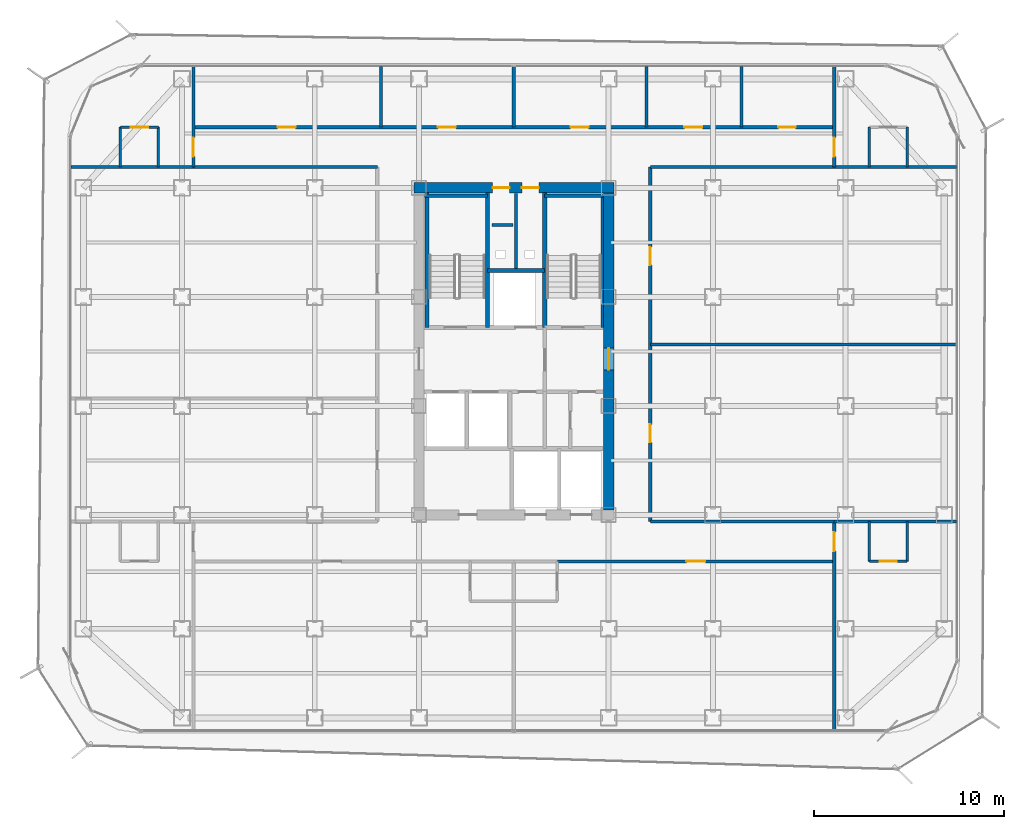
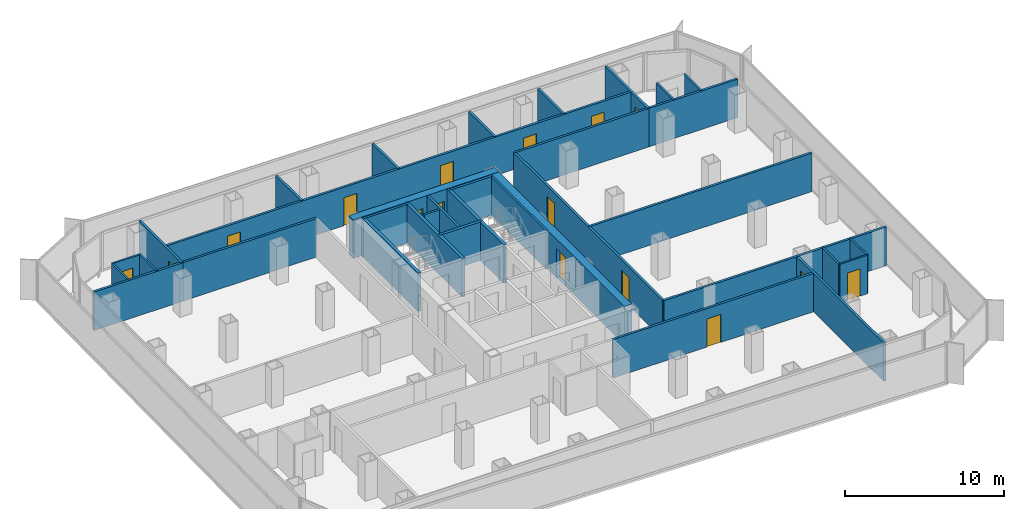
# One storey, part 17 of 21: 36 walls, 16 doors, 16 openings.
"""IFC4 building model written with IfcOpenShell, lengths in metres."""

from ifc_helpers import new_model, si_unit, direction, frame, frame_2d, origin, place, context, subcontext, project, spatial, rectangle, extrude, material, layer, layer_set, type_object, element, fill, save


model = new_model("IFC4")

# Units and contexts
model_context = context("Model", 3, precision=1e-05, world=origin(), true_north=direction((0.0, 1.0)))
body_context = subcontext(model_context, "Body", "Model", "MODEL_VIEW")
ifc_project = project(units=[si_unit("LENGTHUNIT", "METRE"), si_unit("AREAUNIT", "SQUARE_METRE"), si_unit("VOLUMEUNIT", "CUBIC_METRE"), si_unit("PLANEANGLEUNIT", "RADIAN"), si_unit("MASSUNIT", "GRAM", prefix="KILO")], contexts=[model_context])

# Site, building, storey
site_placement = place(None, origin())
site = spatial("IfcSite", under=ifc_project, at=site_placement, CompositionType="ELEMENT")
building_placement = place(site_placement, origin())
building = spatial("IfcBuilding", under=site, at=building_placement, Name="Kolveth Station Tower", CompositionType="ELEMENT")
storey_placement = place(building_placement, frame((0.0, 0.0, 131.10009765625)))
storey = spatial("IfcBuildingStorey", under=building, at=storey_placement, Name="L36", CompositionType="ELEMENT", Elevation=131.10009765625)

# Wall, openings, doors
ifc_material_1 = material(Name="Concrete C60/75", Category="concrete")
ifc_layer_1 = layer(ifc_material_1, 0.550048828125)
ifc_layer_set_1 = layer_set([ifc_layer_1], Name="Concrete C60/75")
wall_type_1 = type_object("IfcWallType", Name="Wall_CW-550", PredefinedType="SHEAR", material=ifc_layer_set_1)
wall_1_placement = place(storey_placement, frame((18.22509765625, 28.75, 0.0), z_axis=(0.0, 0.0, 1.0), x_axis=(1.0, 0.0, 0.0)))
wall_1 = element("IfcWall", 1, at=wall_1_placement, inside=storey, type_object=wall_type_1, Name="L36 Core RC Shear Wall N", PredefinedType="SHEAR", context=body_context, shape_type="SweptSolid", body=[
    extrude(rectangle(XDim=10.5498046875, YDim=0.550048828125, at=frame_2d((5.27490234375, 0.0))), origin(), (0.0, 0.0, 1.0), 2.949951171875),
])
opening_1_placement = place(wall_1_placement, frame((4.155029296875, 0.0, 0.0)))
opening_1 = element("IfcOpeningElement", 2, at=opening_1_placement, cuts=wall_1, Name="Opening RD1", PredefinedType="OPENING", context=body_context, shape_type="SweptSolid", body=[
    extrude(rectangle(XDim=0.89990234375, YDim=2.050048828125, at=frame_2d((0.449951171875, 1.02490234375))), frame((0.0, 0.284912109375, 0.0), z_axis=(0.0, -1.0, 0.0), x_axis=(1.0, 0.0, 0.0)), (0.0, 0.0, 1.0), 0.570068359375),
])
opening_2_placement = place(wall_1_placement, frame((5.695068359375, 0.0, 0.0)))
opening_2 = element("IfcOpeningElement", 3, at=opening_2_placement, cuts=wall_1, Name="Opening RD1", PredefinedType="OPENING", context=body_context, shape_type="SweptSolid", body=[
    extrude(rectangle(XDim=0.89990234375, YDim=2.050048828125, at=frame_2d((0.449951171875, 1.02490234375))), frame((0.0, 0.284912109375, 0.0), z_axis=(0.0, -1.0, 0.0), x_axis=(1.0, 0.0, 0.0)), (0.0, 0.0, 1.0), 0.570068359375),
])
ifc_material_2 = material(Name="Fire-rated Steel S355 riser access leaf", Category="steel")
door_type_1 = type_object("IfcDoorType", Name="Door_RD1", OperationType="NOTDEFINED", PredefinedType="DOOR", material=ifc_material_2)
door_1_placement = place(opening_1_placement, origin())
door_1 = element("IfcDoor", 4, at=door_1_placement, inside=storey, type_object=door_type_1, Name="L36 Electrical Riser Access Door", OperationType="SINGLE_SWING_LEFT", OverallHeight=2.050048828125, OverallWidth=0.89990234375, PredefinedType="DOOR", context=body_context, shape_type="SweptSolid", body=[
    extrude(rectangle(XDim=0.89990234375, YDim=2.050048828125, at=frame_2d((0.449951171875, 1.02490234375))), frame((0.0, 0.02490234375, 0.0), z_axis=(0.0, -1.0, 0.0), x_axis=(1.0, 0.0, 0.0)), (0.0, 0.0, 1.0), 0.050048828125),
])
fill(opening_1, door_1)
door_2_placement = place(opening_2_placement, origin())
door_2 = element("IfcDoor", 5, at=door_2_placement, inside=storey, type_object=door_type_1, Name="L36 Smoke Duct Access Door", OperationType="SINGLE_SWING_RIGHT", OverallHeight=2.050048828125, OverallWidth=0.89990234375, PredefinedType="DOOR", context=body_context, shape_type="SweptSolid", body=[
    extrude(rectangle(XDim=0.89990234375, YDim=2.050048828125, at=frame_2d((0.449951171875, 1.02490234375))), frame((0.0, 0.02490234375, 0.0), z_axis=(0.0, -1.0, 0.0), x_axis=(1.0, 0.0, 0.0)), (0.0, 0.0, 1.0), 0.050048828125),
])
fill(opening_2, door_2)

# Wall, opening, door
wall_2_placement = place(storey_placement, frame((28.5, 11.77490234375, 0.0), z_axis=(0.0, 0.0, 1.0), x_axis=(0.0, 1.0, 0.0)))
wall_2 = element("IfcWall", 6, at=wall_2_placement, inside=storey, type_object=wall_type_1, Name="L36 Core RC Shear Wall E", PredefinedType="SHEAR", context=body_context, shape_type="SweptSolid", body=[
    extrude(rectangle(XDim=16.7001953125, YDim=0.550048828125, at=frame_2d((8.35009765625, 0.0))), origin(), (0.0, 0.0, 1.0), 2.949951171875),
])
opening_3_placement = place(wall_2_placement, frame((7.375, 0.0, 0.0)))
opening_3 = element("IfcOpeningElement", 7, at=opening_3_placement, cuts=wall_2, Name="Opening FD1", PredefinedType="OPENING", context=body_context, shape_type="SweptSolid", body=[
    extrude(rectangle(XDim=1.14990234375, YDim=2.199951171875, at=frame_2d((0.574951171875, 1.10009765625))), frame((0.0, 0.284912109375, 0.0), z_axis=(0.0, -1.0, 0.0), x_axis=(1.0, 0.0, 0.0)), (0.0, 0.0, 1.0), 0.570068359375),
])
ifc_material_3 = material(Name="Fire-rated Steel S355 leaf and frame", Category="steel")
door_type_2 = type_object("IfcDoorType", Name="Door_FD1", OperationType="NOTDEFINED", PredefinedType="DOOR", material=ifc_material_3)
door_3_placement = place(opening_3_placement, origin())
door_3 = element("IfcDoor", 8, at=door_3_placement, inside=storey, type_object=door_type_2, Name="L36 East Corridor to Stair Lobby Door", OperationType="SINGLE_SWING_RIGHT", OverallHeight=2.199951171875, OverallWidth=1.14990234375, PredefinedType="DOOR", context=body_context, shape_type="SweptSolid", body=[
    extrude(rectangle(XDim=1.14990234375, YDim=2.199951171875, at=frame_2d((0.574951171875, 1.10009765625))), frame((0.0, 0.02490234375, 0.0), z_axis=(0.0, -1.0, 0.0), x_axis=(1.0, 0.0, 0.0)), (0.0, 0.0, 1.0), 0.050048828125),
])
fill(opening_3, door_3)

# Walls
ifc_material_4 = material(Name="Moisture-resistant gypsum partition")
ifc_layer_2 = layer(ifc_material_4, 0.135009765625)
ifc_layer_set_2 = layer_set([ifc_layer_2], Name="Moisture-resistant gypsum partition")
wall_type_2 = type_object("IfcWallType", Name="Wall_IW-135", PredefinedType="PARTITIONING", material=ifc_layer_set_2)
wall_3_placement = place(storey_placement, frame((28.16748046875, 21.389892578125, 0.0), z_axis=(0.0, 0.0, 1.0), x_axis=(0.0, 1.0, 0.0)))
element("IfcWall", 9, at=wall_3_placement, inside=storey, type_object=wall_type_2, Name="L36 Stair Shaft Wall WL-L36-ST2-E", PredefinedType="PARTITIONING", context=body_context, shape_type="SweptSolid", body=[
    extrude(rectangle(XDim=6.945068359375, YDim=0.135009765625, at=frame_2d((3.47265625, 0.0))), origin(), (0.0, 0.0, 1.0), 2.949951171875),
])
for number, where, z_axis, x_axis, name in (
    (10, (2.75, 29.85009765625, 0.0), (0.0, 0.0, 1.0), (0.0, 1.0, 0.0), "L36 Partition Wall WL-L36-WS2-BV1"),
    (11, (4.75, 29.85009765625, 0.0), (0.0, 0.0, 1.0), (0.0, 1.0, 0.0), "L36 Partition Wall WL-L36-WS2-BV2"),
):
    element("IfcWall", number, at=place(storey_placement, frame(where, z_axis=z_axis, x_axis=x_axis)), inside=storey, type_object=wall_type_2, Name=name, PredefinedType="PARTITIONING", context=body_context, shape_type="SweptSolid", body=[
        extrude(rectangle(XDim=2.099853515625, YDim=0.135009765625, at=frame_2d((1.0498046875, 0.0))), origin(), (0.0, 0.0, 1.0), 2.949951171875),
    ])

# Wall, opening, door
wall_4_placement = place(storey_placement, frame((2.75, 31.949951171875, 0.0), z_axis=(0.0, 0.0, 1.0), x_axis=(1.0, 0.0, 0.0)))
wall_4 = element("IfcWall", 12, at=wall_4_placement, inside=storey, type_object=wall_type_2, Name="L36 Partition Wall WL-L36-WS2-BH", PredefinedType="PARTITIONING", context=body_context, shape_type="SweptSolid", body=[
    extrude(rectangle(XDim=2.0, YDim=0.135009765625, at=frame_2d((1.0, 0.0))), origin(), (0.0, 0.0, 1.0), 2.949951171875),
])
opening_4_placement = place(wall_4_placement, frame((0.5400390625, 0.0, 0.0)))
opening_4 = element("IfcOpeningElement", 13, at=opening_4_placement, cuts=wall_4, Name="Opening ID2", PredefinedType="OPENING", context=body_context, shape_type="SweptSolid", body=[
    extrude(rectangle(XDim=0.919921875, YDim=2.10009765625, at=frame_2d((0.4599609375, 1.050048828125))), frame((0.0, 0.077392578125, 0.0), z_axis=(0.0, -1.0, 0.0), x_axis=(1.0, 0.0, 0.0)), (0.0, 0.0, 1.0), 0.155029296875),
])
ifc_material_5 = material(Name="Moisture-resistant hardwood leaf", Category="wood")
door_type_3 = type_object("IfcDoorType", Name="Door_ID2", OperationType="NOTDEFINED", PredefinedType="DOOR", material=ifc_material_5)
door_4_placement = place(opening_4_placement, frame((0.919921875, 0.0, 0.0), z_axis=(0.0, 0.0, 1.0), x_axis=(-1.0, 0.0, 0.0)))
door_4 = element("IfcDoor", 14, at=door_4_placement, inside=storey, type_object=door_type_3, Name="L36 Hotel Corner Suite WS2 En-Suite Door", OperationType="SINGLE_SWING_RIGHT", OverallHeight=2.10009765625, OverallWidth=0.919921875, PredefinedType="DOOR", context=body_context, shape_type="SweptSolid", body=[
    extrude(rectangle(XDim=0.919921875, YDim=2.10009765625, at=frame_2d((0.4599609375, 1.050048828125))), frame((0.0, 0.02490234375, 0.0), z_axis=(0.0, -1.0, 0.0), x_axis=(1.0, 0.0, 0.0)), (0.0, 0.0, 1.0), 0.050048828125),
])
fill(opening_4, door_4)

# Walls
for number, where, z_axis, x_axis, name in (
    (15, (42.25, 9.050048828125, 0.0), (0.0, 0.0, 1.0), (0.0, 1.0, 0.0), "L36 Partition Wall WL-L36-ES1-BV1"),
    (16, (44.25, 9.050048828125, 0.0), (0.0, 0.0, 1.0), (0.0, 1.0, 0.0), "L36 Partition Wall WL-L36-ES1-BV2"),
):
    element("IfcWall", number, at=place(storey_placement, frame(where, z_axis=z_axis, x_axis=x_axis)), inside=storey, type_object=wall_type_2, Name=name, PredefinedType="PARTITIONING", context=body_context, shape_type="SweptSolid", body=[
        extrude(rectangle(XDim=2.099853515625, YDim=0.135009765625, at=frame_2d((1.0498046875, 0.0))), origin(), (0.0, 0.0, 1.0), 2.949951171875),
    ])

# Wall, opening, door
wall_5_placement = place(storey_placement, frame((42.25, 9.050048828125, 0.0), z_axis=(0.0, 0.0, 1.0), x_axis=(1.0, 0.0, 0.0)))
wall_5 = element("IfcWall", 17, at=wall_5_placement, inside=storey, type_object=wall_type_2, Name="L36 Partition Wall WL-L36-ES1-BH", PredefinedType="PARTITIONING", context=body_context, shape_type="SweptSolid", body=[
    extrude(rectangle(XDim=2.0, YDim=0.135009765625, at=frame_2d((1.0, 0.0))), origin(), (0.0, 0.0, 1.0), 2.949951171875),
])
opening_5_placement = place(wall_5_placement, frame((0.5400390625, 0.0, 0.0)))
opening_5 = element("IfcOpeningElement", 18, at=opening_5_placement, cuts=wall_5, Name="Opening ID2", PredefinedType="OPENING", context=body_context, shape_type="SweptSolid", body=[
    extrude(rectangle(XDim=0.919921875, YDim=2.10009765625, at=frame_2d((0.4599609375, 1.050048828125))), frame((0.0, 0.077392578125, 0.0), z_axis=(0.0, -1.0, 0.0), x_axis=(1.0, 0.0, 0.0)), (0.0, 0.0, 1.0), 0.155029296875),
])
door_5_placement = place(opening_5_placement, origin())
door_5 = element("IfcDoor", 19, at=door_5_placement, inside=storey, type_object=door_type_3, Name="L36 Hotel Corner Suite ES1 En-Suite Door", OperationType="SINGLE_SWING_LEFT", OverallHeight=2.10009765625, OverallWidth=0.919921875, PredefinedType="DOOR", context=body_context, shape_type="SweptSolid", body=[
    extrude(rectangle(XDim=0.919921875, YDim=2.10009765625, at=frame_2d((0.4599609375, 1.050048828125))), frame((0.0, 0.02490234375, 0.0), z_axis=(0.0, -1.0, 0.0), x_axis=(1.0, 0.0, 0.0)), (0.0, 0.0, 1.0), 0.050048828125),
])
fill(opening_5, door_5)

# Walls
for number, where, z_axis, x_axis, name in (
    (20, (42.25, 29.85009765625, 0.0), (0.0, 0.0, 1.0), (0.0, 1.0, 0.0), "L36 Partition Wall WL-L36-ES2-BV1"),
    (21, (44.25, 29.85009765625, 0.0), (0.0, 0.0, 1.0), (0.0, 1.0, 0.0), "L36 Partition Wall WL-L36-ES2-BV2"),
):
    element("IfcWall", number, at=place(storey_placement, frame(where, z_axis=z_axis, x_axis=x_axis)), inside=storey, type_object=wall_type_2, Name=name, PredefinedType="PARTITIONING", context=body_context, shape_type="SweptSolid", body=[
        extrude(rectangle(XDim=2.099853515625, YDim=0.135009765625, at=frame_2d((1.0498046875, 0.0))), origin(), (0.0, 0.0, 1.0), 2.949951171875),
    ])
ifc_material_6 = material(Name="Acoustic double-stud gypsum partition")
ifc_layer_3 = layer(ifc_material_6, 0.1650390625)
ifc_layer_set_3 = layer_set([ifc_layer_3], Name="Acoustic double-stud gypsum partition")
wall_type_3 = type_object("IfcWallType", Name="Wall_IW-165", PredefinedType="PARTITIONING", material=ifc_layer_set_3)
wall_6_placement = place(storey_placement, frame((18.784912109375, 28.3349609375, 0.0), z_axis=(0.0, 0.0, 1.0), x_axis=(1.0, 0.0, 0.0)))
element("IfcWall", 22, at=wall_6_placement, inside=storey, type_object=wall_type_3, Name="L36 Stair Shaft Wall WL-L36-ST1-N", PredefinedType="PARTITIONING", context=body_context, shape_type="SweptSolid", body=[
    extrude(rectangle(XDim=3.3251953125, YDim=0.1650390625, at=frame_2d((1.66259765625, 0.0))), origin(), (0.0, 0.0, 1.0), 2.949951171875),
])
wall_7_placement = place(storey_placement, frame((25.1298828125, 28.3349609375, 0.0), z_axis=(0.0, 0.0, 1.0), x_axis=(1.0, 0.0, 0.0)))
element("IfcWall", 23, at=wall_7_placement, inside=storey, type_object=wall_type_3, Name="L36 Stair Shaft Wall WL-L36-ST2-N", PredefinedType="PARTITIONING", context=body_context, shape_type="SweptSolid", body=[
    extrude(rectangle(XDim=3.085205078125, YDim=0.1650390625, at=frame_2d((1.54248046875, 0.0))), origin(), (0.0, 0.0, 1.0), 2.949951171875),
])
wall_8_placement = place(storey_placement, frame((23.6201171875, 24.39990234375, 0.0), z_axis=(0.0, 0.0, 1.0), x_axis=(0.0, 1.0, 0.0)))
element("IfcWall", 24, at=wall_8_placement, inside=storey, type_object=wall_type_3, Name="L36 Partition Wall WL-L36-RSR-M", PredefinedType="PARTITIONING", context=body_context, shape_type="SweptSolid", body=[
    extrude(rectangle(XDim=4.065185546875, YDim=0.1650390625, at=frame_2d((2.03271484375, 0.0))), origin(), (0.0, 0.0, 1.0), 2.949951171875),
])

# Wall, openings, doors
wall_9_placement = place(storey_placement, frame((6.60009765625, 31.949951171875, 0.0), z_axis=(0.0, 0.0, 1.0), x_axis=(1.0, 0.0, 0.0)))
wall_9 = element("IfcWall", 25, at=wall_9_placement, inside=storey, type_object=wall_type_3, Name="L36 Partition Wall WL-L36-HN", PredefinedType="PARTITIONING", context=body_context, shape_type="SweptSolid", body=[
    extrude(rectangle(XDim=33.7998046875, YDim=0.1650390625, at=frame_2d((16.89990234375, 0.0))), origin(), (0.0, 0.0, 1.0), 2.949951171875),
])
opening_6_placement = place(wall_9_placement, frame((4.449951171875, 0.0, 0.0)))
opening_6 = element("IfcOpeningElement", 26, at=opening_6_placement, cuts=wall_9, Name="Opening ID1", PredefinedType="OPENING", context=body_context, shape_type="SweptSolid", body=[
    extrude(rectangle(XDim=0.949951171875, YDim=2.14990234375, at=frame_2d((0.47509765625, 1.074951171875))), frame((0.0, 0.092529296875, 0.0), z_axis=(0.0, -1.0, 0.0), x_axis=(1.0, 0.0, 0.0)), (0.0, 0.0, 1.0), 0.18505859375),
])
opening_7_placement = place(wall_9_placement, frame((12.89990234375, 0.0, 0.0)))
opening_7 = element("IfcOpeningElement", 27, at=opening_7_placement, cuts=wall_9, Name="Opening ID1", PredefinedType="OPENING", context=body_context, shape_type="SweptSolid", body=[
    extrude(rectangle(XDim=0.949951171875, YDim=2.14990234375, at=frame_2d((0.47509765625, 1.074951171875))), frame((0.0, 0.092529296875, 0.0), z_axis=(0.0, -1.0, 0.0), x_axis=(1.0, 0.0, 0.0)), (0.0, 0.0, 1.0), 0.18505859375),
])
opening_8_placement = place(wall_9_placement, frame((19.89990234375, 0.0, 0.0)))
opening_8 = element("IfcOpeningElement", 28, at=opening_8_placement, cuts=wall_9, Name="Opening ID1", PredefinedType="OPENING", context=body_context, shape_type="SweptSolid", body=[
    extrude(rectangle(XDim=0.949951171875, YDim=2.14990234375, at=frame_2d((0.47509765625, 1.074951171875))), frame((0.0, 0.092529296875, 0.0), z_axis=(0.0, -1.0, 0.0), x_axis=(1.0, 0.0, 0.0)), (0.0, 0.0, 1.0), 0.18505859375),
])
opening_9_placement = place(wall_9_placement, frame((25.89990234375, 0.0, 0.0)))
opening_9 = element("IfcOpeningElement", 29, at=opening_9_placement, cuts=wall_9, Name="Opening ID1", PredefinedType="OPENING", context=body_context, shape_type="SweptSolid", body=[
    extrude(rectangle(XDim=0.949951171875, YDim=2.14990234375, at=frame_2d((0.47509765625, 1.074951171875))), frame((0.0, 0.092529296875, 0.0), z_axis=(0.0, -1.0, 0.0), x_axis=(1.0, 0.0, 0.0)), (0.0, 0.0, 1.0), 0.18505859375),
])
opening_10_placement = place(wall_9_placement, frame((30.85009765625, 0.0, 0.0)))
opening_10 = element("IfcOpeningElement", 30, at=opening_10_placement, cuts=wall_9, Name="Opening ID2", PredefinedType="OPENING", context=body_context, shape_type="SweptSolid", body=[
    extrude(rectangle(XDim=0.919921875, YDim=2.10009765625, at=frame_2d((0.4599609375, 1.050048828125))), frame((0.0, 0.092529296875, 0.0), z_axis=(0.0, -1.0, 0.0), x_axis=(1.0, 0.0, 0.0)), (0.0, 0.0, 1.0), 0.18505859375),
])
ifc_material_7 = material(Name="Acoustic hardwood leaf and aluminium frame", Category="wood")
door_type_4 = type_object("IfcDoorType", Name="Door_ID1", OperationType="NOTDEFINED", PredefinedType="DOOR", material=ifc_material_7)
door_6_placement = place(opening_6_placement, origin())
door_6 = element("IfcDoor", 31, at=door_6_placement, inside=storey, type_object=door_type_4, Name="L36 Conference Room North 1 Door", OperationType="SINGLE_SWING_RIGHT", OverallHeight=2.14990234375, OverallWidth=0.949951171875, PredefinedType="DOOR", context=body_context, shape_type="SweptSolid", body=[
    extrude(rectangle(XDim=0.949951171875, YDim=2.14990234375, at=frame_2d((0.47509765625, 1.074951171875))), frame((0.0, 0.02490234375, 0.0), z_axis=(0.0, -1.0, 0.0), x_axis=(1.0, 0.0, 0.0)), (0.0, 0.0, 1.0), 0.050048828125),
])
fill(opening_6, door_6)
door_7_placement = place(opening_7_placement, origin())
door_7 = element("IfcDoor", 32, at=door_7_placement, inside=storey, type_object=door_type_4, Name="L36 Conference Room North 2 Door", OperationType="SINGLE_SWING_LEFT", OverallHeight=2.14990234375, OverallWidth=0.949951171875, PredefinedType="DOOR", context=body_context, shape_type="SweptSolid", body=[
    extrude(rectangle(XDim=0.949951171875, YDim=2.14990234375, at=frame_2d((0.47509765625, 1.074951171875))), frame((0.0, 0.02490234375, 0.0), z_axis=(0.0, -1.0, 0.0), x_axis=(1.0, 0.0, 0.0)), (0.0, 0.0, 1.0), 0.050048828125),
])
fill(opening_7, door_7)
door_8_placement = place(opening_8_placement, origin())
door_8 = element("IfcDoor", 33, at=door_8_placement, inside=storey, type_object=door_type_4, Name="L36 Conference Room North 3 Door", OperationType="SINGLE_SWING_LEFT", OverallHeight=2.14990234375, OverallWidth=0.949951171875, PredefinedType="DOOR", context=body_context, shape_type="SweptSolid", body=[
    extrude(rectangle(XDim=0.949951171875, YDim=2.14990234375, at=frame_2d((0.47509765625, 1.074951171875))), frame((0.0, 0.02490234375, 0.0), z_axis=(0.0, -1.0, 0.0), x_axis=(1.0, 0.0, 0.0)), (0.0, 0.0, 1.0), 0.050048828125),
])
fill(opening_8, door_8)
door_9_placement = place(opening_9_placement, origin())
door_9 = element("IfcDoor", 34, at=door_9_placement, inside=storey, type_object=door_type_4, Name="L36 Floor Service Pantry Door", OperationType="SINGLE_SWING_LEFT", OverallHeight=2.14990234375, OverallWidth=0.949951171875, PredefinedType="DOOR", context=body_context, shape_type="SweptSolid", body=[
    extrude(rectangle(XDim=0.949951171875, YDim=2.14990234375, at=frame_2d((0.47509765625, 1.074951171875))), frame((0.0, 0.02490234375, 0.0), z_axis=(0.0, -1.0, 0.0), x_axis=(1.0, 0.0, 0.0)), (0.0, 0.0, 1.0), 0.050048828125),
])
fill(opening_9, door_9)
door_10_placement = place(opening_10_placement, origin())
door_10 = element("IfcDoor", 35, at=door_10_placement, inside=storey, type_object=door_type_3, Name="L36 Accessible Guest WC Door", OperationType="SINGLE_SWING_RIGHT", OverallHeight=2.10009765625, OverallWidth=0.919921875, PredefinedType="DOOR", context=body_context, shape_type="SweptSolid", body=[
    extrude(rectangle(XDim=0.919921875, YDim=2.10009765625, at=frame_2d((0.4599609375, 1.050048828125))), frame((0.0, 0.02490234375, 0.0), z_axis=(0.0, -1.0, 0.0), x_axis=(1.0, 0.0, 0.0)), (0.0, 0.0, 1.0), 0.050048828125),
])
fill(opening_10, door_10)

# Walls
for number, where, z_axis, x_axis, name in (
    (36, (30.699951171875, 11.14990234375, 0.0), (0.0, 0.0, 1.0), (1.0, 0.0, 0.0), "L36 Partition Wall WL-L36-HSET"),
    (37, (6.60009765625, 29.85009765625, 0.0), (0.0, 0.0, 1.0), (1.0, 0.0, 0.0), "L36 Partition Wall WL-L36-HNWB"),
    (38, (30.699951171875, 29.85009765625, 0.0), (0.0, 0.0, 1.0), (1.0, 0.0, 0.0), "L36 Partition Wall WL-L36-HNEB"),
):
    element("IfcWall", number, at=place(storey_placement, frame(where, z_axis=z_axis, x_axis=x_axis)), inside=storey, type_object=wall_type_3, Name=name, PredefinedType="PARTITIONING", context=body_context, shape_type="SweptSolid", body=[
        extrude(rectangle(XDim=9.699951171875, YDim=0.1650390625, at=frame_2d((4.85009765625, 0.0))), origin(), (0.0, 0.0, 1.0), 2.949951171875),
    ])

# Wall, openings, doors
wall_10_placement = place(storey_placement, frame((30.699951171875, 11.14990234375, 0.0), z_axis=(0.0, 0.0, 1.0), x_axis=(0.0, 1.0, 0.0)))
wall_10 = element("IfcWall", 39, at=wall_10_placement, inside=storey, type_object=wall_type_3, Name="L36 Partition Wall WL-L36-HE", PredefinedType="PARTITIONING", context=body_context, shape_type="SweptSolid", body=[
    extrude(rectangle(XDim=18.7001953125, YDim=0.1650390625, at=frame_2d((9.35009765625, 0.0))), origin(), (0.0, 0.0, 1.0), 2.949951171875),
])
opening_11_placement = place(wall_10_placement, frame((4.175048828125, 0.0, 0.0)))
opening_11 = element("IfcOpeningElement", 40, at=opening_11_placement, cuts=wall_10, Name="Opening ID1", PredefinedType="OPENING", context=body_context, shape_type="SweptSolid", body=[
    extrude(rectangle(XDim=0.949951171875, YDim=2.14990234375, at=frame_2d((0.47509765625, 1.074951171875))), frame((0.0, 0.092529296875, 0.0), z_axis=(0.0, -1.0, 0.0), x_axis=(1.0, 0.0, 0.0)), (0.0, 0.0, 1.0), 0.18505859375),
])
opening_12_placement = place(wall_10_placement, frame((13.52490234375, 0.0, 0.0)))
opening_12 = element("IfcOpeningElement", 41, at=opening_12_placement, cuts=wall_10, Name="Opening ID1", PredefinedType="OPENING", context=body_context, shape_type="SweptSolid", body=[
    extrude(rectangle(XDim=0.949951171875, YDim=2.14990234375, at=frame_2d((0.47509765625, 1.074951171875))), frame((0.0, 0.092529296875, 0.0), z_axis=(0.0, -1.0, 0.0), x_axis=(1.0, 0.0, 0.0)), (0.0, 0.0, 1.0), 0.18505859375),
])
door_11_placement = place(opening_11_placement, origin())
door_11 = element("IfcDoor", 42, at=door_11_placement, inside=storey, type_object=door_type_4, Name="L36 Spa Suite East Door", OperationType="SINGLE_SWING_LEFT", OverallHeight=2.14990234375, OverallWidth=0.949951171875, PredefinedType="DOOR", context=body_context, shape_type="SweptSolid", body=[
    extrude(rectangle(XDim=0.949951171875, YDim=2.14990234375, at=frame_2d((0.47509765625, 1.074951171875))), frame((0.0, 0.02490234375, 0.0), z_axis=(0.0, -1.0, 0.0), x_axis=(1.0, 0.0, 0.0)), (0.0, 0.0, 1.0), 0.050048828125),
])
fill(opening_11, door_11)
door_12_placement = place(opening_12_placement, origin())
door_12 = element("IfcDoor", 43, at=door_12_placement, inside=storey, type_object=door_type_4, Name="L36 Executive Boardroom Door", OperationType="SINGLE_SWING_RIGHT", OverallHeight=2.14990234375, OverallWidth=0.949951171875, PredefinedType="DOOR", context=body_context, shape_type="SweptSolid", body=[
    extrude(rectangle(XDim=0.949951171875, YDim=2.14990234375, at=frame_2d((0.47509765625, 1.074951171875))), frame((0.0, 0.02490234375, 0.0), z_axis=(0.0, -1.0, 0.0), x_axis=(1.0, 0.0, 0.0)), (0.0, 0.0, 1.0), 0.050048828125),
])
fill(opening_12, door_12)

# Wall, opening, door
wall_11_placement = place(storey_placement, frame((6.60009765625, 29.85009765625, 0.0), z_axis=(0.0, 0.0, 1.0), x_axis=(0.0, 1.0, 0.0)))
wall_11 = element("IfcWall", 44, at=wall_11_placement, inside=storey, type_object=wall_type_3, Name="L36 Partition Wall WL-L36-END-WN", PredefinedType="PARTITIONING", context=body_context, shape_type="SweptSolid", body=[
    extrude(rectangle(XDim=5.289794921875, YDim=0.1650390625, at=frame_2d((2.64501953125, 0.0))), origin(), (0.0, 0.0, 1.0), 2.949951171875),
])
opening_13_placement = place(wall_11_placement, frame((0.550048828125, 0.0, 0.0)))
opening_13 = element("IfcOpeningElement", 45, at=opening_13_placement, cuts=wall_11, Name="Opening FD3", PredefinedType="OPENING", context=body_context, shape_type="SweptSolid", body=[
    extrude(rectangle(XDim=1.0, YDim=2.14990234375, at=frame_2d((0.5, 1.074951171875))), frame((0.0, 0.092529296875, 0.0), z_axis=(0.0, -1.0, 0.0), x_axis=(1.0, 0.0, 0.0)), (0.0, 0.0, 1.0), 0.18505859375),
])
ifc_material_8 = material(Name="Fire-rated hardwood leaf and aluminium frame", Category="wood")
door_type_5 = type_object("IfcDoorType", Name="Door_FD3", OperationType="NOTDEFINED", PredefinedType="DOOR", material=ifc_material_8)
door_13_placement = place(opening_13_placement, origin())
door_13 = element("IfcDoor", 46, at=door_13_placement, inside=storey, type_object=door_type_5, Name="L36 Hotel Corner Suite WS2 Entrance Door", OperationType="SINGLE_SWING_LEFT", OverallHeight=2.14990234375, OverallWidth=1.0, PredefinedType="DOOR", context=body_context, shape_type="SweptSolid", body=[
    extrude(rectangle(XDim=1.0, YDim=2.14990234375, at=frame_2d((0.5, 1.074951171875))), frame((0.0, 0.02490234375, 0.0), z_axis=(0.0, -1.0, 0.0), x_axis=(1.0, 0.0, 0.0)), (0.0, 0.0, 1.0), 0.050048828125),
])
fill(opening_13, door_13)

wall_12_placement = place(storey_placement, frame((40.39990234375, 0.159912109375, 0.0), z_axis=(0.0, 0.0, 1.0), x_axis=(0.0, 1.0, 0.0)))
wall_12 = element("IfcWall", 47, at=wall_12_placement, inside=storey, type_object=wall_type_3, Name="L36 Partition Wall WL-L36-END-ES", PredefinedType="PARTITIONING", context=body_context, shape_type="SweptSolid", body=[
    extrude(rectangle(XDim=10.989990234375, YDim=0.1650390625, at=frame_2d((5.4951171875, 0.0))), origin(), (0.0, 0.0, 1.0), 2.949951171875),
])
opening_14_placement = place(wall_12_placement, frame((9.43994140625, 0.0, 0.0)))
opening_14 = element("IfcOpeningElement", 48, at=opening_14_placement, cuts=wall_12, Name="Opening FD3", PredefinedType="OPENING", context=body_context, shape_type="SweptSolid", body=[
    extrude(rectangle(XDim=1.0, YDim=2.14990234375, at=frame_2d((0.5, 1.074951171875))), frame((0.0, 0.092529296875, 0.0), z_axis=(0.0, -1.0, 0.0), x_axis=(1.0, 0.0, 0.0)), (0.0, 0.0, 1.0), 0.18505859375),
])
door_14_placement = place(opening_14_placement, frame((1.0, 0.0, 0.0), z_axis=(0.0, 0.0, 1.0), x_axis=(-1.0, 0.0, 0.0)))
door_14 = element("IfcDoor", 49, at=door_14_placement, inside=storey, type_object=door_type_5, Name="L36 Hotel Corner Suite ES1 Entrance Door", OperationType="SINGLE_SWING_LEFT", OverallHeight=2.14990234375, OverallWidth=1.0, PredefinedType="DOOR", context=body_context, shape_type="SweptSolid", body=[
    extrude(rectangle(XDim=1.0, YDim=2.14990234375, at=frame_2d((0.5, 1.074951171875))), frame((0.0, 0.02490234375, 0.0), z_axis=(0.0, -1.0, 0.0), x_axis=(1.0, 0.0, 0.0)), (0.0, 0.0, 1.0), 0.050048828125),
])
fill(opening_14, door_14)

wall_13_placement = place(storey_placement, frame((40.39990234375, 29.85009765625, 0.0), z_axis=(0.0, 0.0, 1.0), x_axis=(0.0, 1.0, 0.0)))
wall_13 = element("IfcWall", 50, at=wall_13_placement, inside=storey, type_object=wall_type_3, Name="L36 Partition Wall WL-L36-END-EN", PredefinedType="PARTITIONING", context=body_context, shape_type="SweptSolid", body=[
    extrude(rectangle(XDim=5.289794921875, YDim=0.1650390625, at=frame_2d((2.64501953125, 0.0))), origin(), (0.0, 0.0, 1.0), 2.949951171875),
])
opening_15_placement = place(wall_13_placement, frame((0.550048828125, 0.0, 0.0)))
opening_15 = element("IfcOpeningElement", 51, at=opening_15_placement, cuts=wall_13, Name="Opening FD3", PredefinedType="OPENING", context=body_context, shape_type="SweptSolid", body=[
    extrude(rectangle(XDim=1.0, YDim=2.14990234375, at=frame_2d((0.5, 1.074951171875))), frame((0.0, 0.092529296875, 0.0), z_axis=(0.0, -1.0, 0.0), x_axis=(1.0, 0.0, 0.0)), (0.0, 0.0, 1.0), 0.18505859375),
])
door_15_placement = place(opening_15_placement, frame((1.0, 0.0, 0.0), z_axis=(0.0, 0.0, 1.0), x_axis=(-1.0, 0.0, 0.0)))
door_15 = element("IfcDoor", 52, at=door_15_placement, inside=storey, type_object=door_type_5, Name="L36 Hotel Guest Room ES2 Entrance Door", OperationType="SINGLE_SWING_LEFT", OverallHeight=2.14990234375, OverallWidth=1.0, PredefinedType="DOOR", context=body_context, shape_type="SweptSolid", body=[
    extrude(rectangle(XDim=1.0, YDim=2.14990234375, at=frame_2d((0.5, 1.074951171875))), frame((0.0, 0.02490234375, 0.0), z_axis=(0.0, -1.0, 0.0), x_axis=(1.0, 0.0, 0.0)), (0.0, 0.0, 1.0), 0.050048828125),
])
fill(opening_15, door_15)

# Walls
for number, where, z_axis, x_axis, name in (
    (53, (0.159912109375, 29.85009765625, 0.0), (0.0, 0.0, 1.0), (1.0, 0.0, 0.0), "L36 Partition Wall WL-L36-WM2"),
    (54, (40.39990234375, 11.14990234375, 0.0), (0.0, 0.0, 1.0), (1.0, 0.0, 0.0), "L36 Partition Wall WL-L36-EM1"),
    (55, (40.39990234375, 29.85009765625, 0.0), (0.0, 0.0, 1.0), (1.0, 0.0, 0.0), "L36 Partition Wall WL-L36-EM2"),
):
    element("IfcWall", number, at=place(storey_placement, frame(where, z_axis=z_axis, x_axis=x_axis)), inside=storey, type_object=wall_type_3, Name=name, PredefinedType="PARTITIONING", context=body_context, shape_type="SweptSolid", body=[
        extrude(rectangle(XDim=6.440185546875, YDim=0.1650390625, at=frame_2d((3.22021484375, 0.0))), origin(), (0.0, 0.0, 1.0), 2.949951171875),
    ])

# Wall, opening, door
wall_14_placement = place(storey_placement, frame((25.800048828125, 9.050048828125, 0.0), z_axis=(0.0, 0.0, 1.0), x_axis=(1.0, 0.0, 0.0)))
wall_14 = element("IfcWall", 56, at=wall_14_placement, inside=storey, type_object=wall_type_3, Name="L36 Partition Wall WL-L36-HS2-RCOR", PredefinedType="PARTITIONING", context=body_context, shape_type="SweptSolid", body=[
    extrude(rectangle(XDim=14.599853515625, YDim=0.1650390625, at=frame_2d((7.2998046875, 0.0))), origin(), (0.0, 0.0, 1.0), 2.949951171875),
])
opening_16_placement = place(wall_14_placement, frame((6.800048828125, 0.0, 0.0)))
opening_16 = element("IfcOpeningElement", 57, at=opening_16_placement, cuts=wall_14, Name="Opening FD3", PredefinedType="OPENING", context=body_context, shape_type="SweptSolid", body=[
    extrude(rectangle(XDim=1.0, YDim=2.14990234375, at=frame_2d((0.5, 1.074951171875))), frame((0.0, 0.092529296875, 0.0), z_axis=(0.0, -1.0, 0.0), x_axis=(1.0, 0.0, 0.0)), (0.0, 0.0, 1.0), 0.18505859375),
])
door_16_placement = place(opening_16_placement, frame((1.0, 0.0, 0.0), z_axis=(0.0, 0.0, 1.0), x_axis=(-1.0, 0.0, 0.0)))
door_16 = element("IfcDoor", 58, at=door_16_placement, inside=storey, type_object=door_type_5, Name="L36 Hotel Corner Suite HS2 Entrance Door", OperationType="SINGLE_SWING_LEFT", OverallHeight=2.14990234375, OverallWidth=1.0, PredefinedType="DOOR", context=body_context, shape_type="SweptSolid", body=[
    extrude(rectangle(XDim=1.0, YDim=2.14990234375, at=frame_2d((0.5, 1.074951171875))), frame((0.0, 0.02490234375, 0.0), z_axis=(0.0, -1.0, 0.0), x_axis=(1.0, 0.0, 0.0)), (0.0, 0.0, 1.0), 0.050048828125),
])
fill(opening_16, door_16)

# Walls
for number, where, z_axis, x_axis, name in (
    (59, (16.5, 31.949951171875, 0.0), (0.0, 0.0, 1.0), (0.0, 1.0, 0.0), "L36 Partition Wall WL-L36-HN-P1"),
    (60, (23.5, 31.949951171875, 0.0), (0.0, 0.0, 1.0), (0.0, 1.0, 0.0), "L36 Partition Wall WL-L36-HN-P2"),
    (61, (30.5, 31.949951171875, 0.0), (0.0, 0.0, 1.0), (0.0, 1.0, 0.0), "L36 Partition Wall WL-L36-HN-P3"),
    (62, (35.5, 31.949951171875, 0.0), (0.0, 0.0, 1.0), (0.0, 1.0, 0.0), "L36 Partition Wall WL-L36-HN-P4"),
):
    element("IfcWall", number, at=place(storey_placement, frame(where, z_axis=z_axis, x_axis=x_axis)), inside=storey, type_object=wall_type_3, Name=name, PredefinedType="PARTITIONING", context=body_context, shape_type="SweptSolid", body=[
        extrude(rectangle(XDim=3.18994140625, YDim=0.1650390625, at=frame_2d((1.594970703125, 0.0))), origin(), (0.0, 0.0, 1.0), 2.949951171875),
    ])
wall_15_placement = place(storey_placement, frame((30.699951171875, 20.5, 0.0), z_axis=(0.0, 0.0, 1.0), x_axis=(1.0, 0.0, 0.0)))
element("IfcWall", 63, at=wall_15_placement, inside=storey, type_object=wall_type_3, Name="L36 Partition Wall WL-L36-HME-P1", PredefinedType="PARTITIONING", context=body_context, shape_type="SweptSolid", body=[
    extrude(rectangle(XDim=16.14013671875, YDim=0.1650390625, at=frame_2d((8.070068359375, 0.0))), origin(), (0.0, 0.0, 1.0), 2.949951171875),
])
wall_16_placement = place(storey_placement, frame((22.35009765625, 26.800048828125, 0.0), z_axis=(0.0, 0.0, 1.0), x_axis=(1.0, 0.0, 0.0)))
element("IfcWall", 64, at=wall_16_placement, inside=storey, type_object=wall_type_3, Name="L36 Acoustic Riser Dry-Lining Wall", PredefinedType="PARTITIONING", context=body_context, shape_type="SweptSolid", body=[
    extrude(rectangle(XDim=1.099853515625, YDim=0.1650390625, at=frame_2d((0.5498046875, 0.0))), origin(), (0.0, 0.0, 1.0), 2.949951171875),
])
ifc_material_9 = material(Name="Acoustic fire-rated gypsum blockwork", Category="masonry")
ifc_layer_4 = layer(ifc_material_9, 0.199951171875)
ifc_layer_set_4 = layer_set([ifc_layer_4], Name="Acoustic fire-rated gypsum blockwork")
wall_type_4 = type_object("IfcWallType", Name="Wall_IW-200", PredefinedType="PARTITIONING", material=ifc_layer_set_4)
wall_17_placement = place(storey_placement, frame((22.110107421875, 24.39990234375, 0.0), z_axis=(0.0, 0.0, 1.0), x_axis=(1.0, 0.0, 0.0)))
element("IfcWall", 65, at=wall_17_placement, inside=storey, type_object=wall_type_4, Name="L36 Partition Wall WL-L36-RSR-S", PredefinedType="PARTITIONING", context=body_context, shape_type="SweptSolid", body=[
    extrude(rectangle(XDim=3.019775390625, YDim=0.199951171875, at=frame_2d((1.509765625, 0.0))), origin(), (0.0, 0.0, 1.0), 2.949951171875),
])
ifc_material_10 = material(Name="Concrete C40/50", Category="concrete")
ifc_layer_5 = layer(ifc_material_10, 0.219970703125)
ifc_layer_set_5 = layer_set([ifc_layer_5], Name="Concrete C40/50")
wall_type_5 = type_object("IfcWallType", Name="Wall_IW-220", PredefinedType="SOLIDWALL", material=ifc_layer_set_5)
for number, where, z_axis, x_axis, name in (
    (66, (18.929931640625, 21.389892578125, 0.0), (0.0, 0.0, 1.0), (0.0, 1.0, 0.0), "L36 Stair Shaft Wall WL-L36-ST1-W"),
    (67, (22.110107421875, 21.389892578125, 0.0), (0.0, 0.0, 1.0), (0.0, 1.0, 0.0), "L36 Stair Shaft Wall WL-L36-ST1-E"),
    (68, (25.1298828125, 21.389892578125, 0.0), (0.0, 0.0, 1.0), (0.0, 1.0, 0.0), "L36 Stair Shaft Wall WL-L36-ST2-W"),
):
    element("IfcWall", number, at=place(storey_placement, frame(where, z_axis=z_axis, x_axis=x_axis)), inside=storey, type_object=wall_type_5, Name=name, PredefinedType="SOLIDWALL", context=body_context, shape_type="SweptSolid", body=[
        extrude(rectangle(XDim=7.110107421875, YDim=0.219970703125, at=frame_2d((3.55517578125, 0.0))), origin(), (0.0, 0.0, 1.0), 2.949951171875),
    ])

save(model, "model.ifc")
